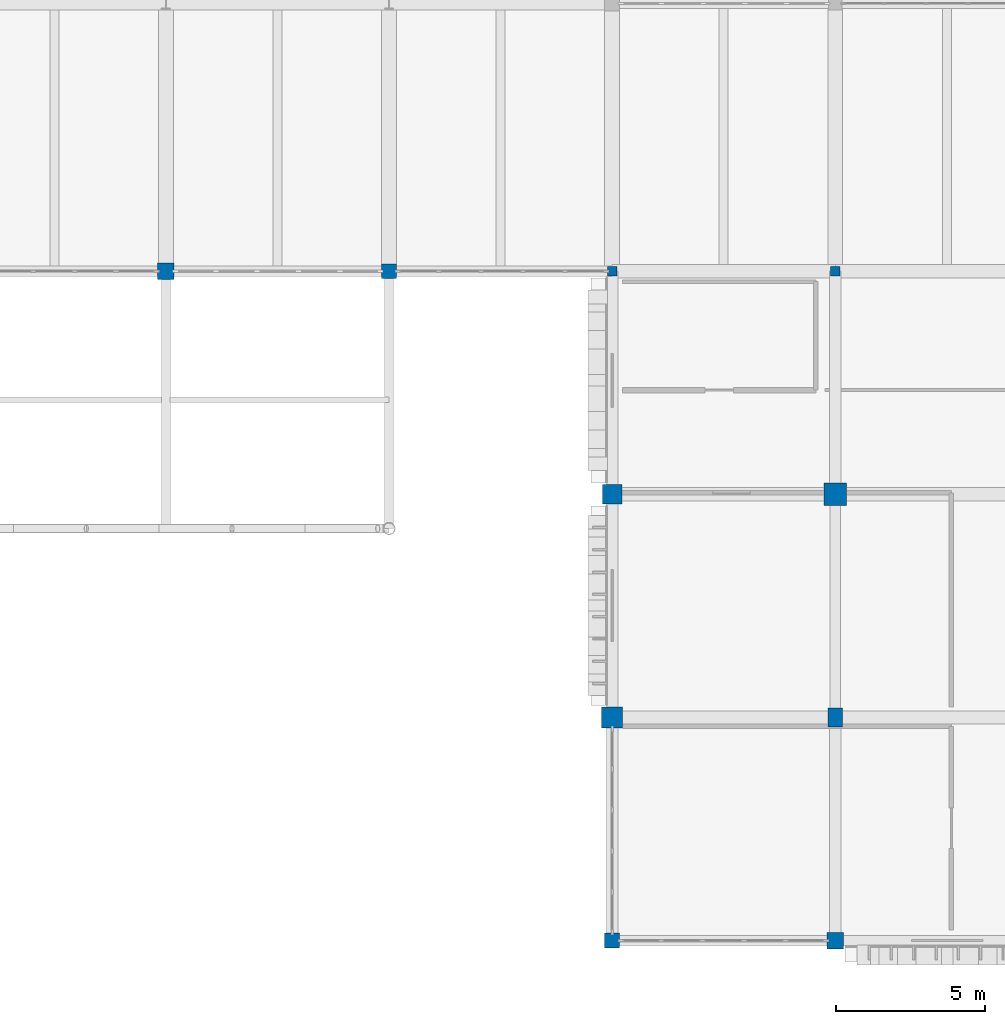
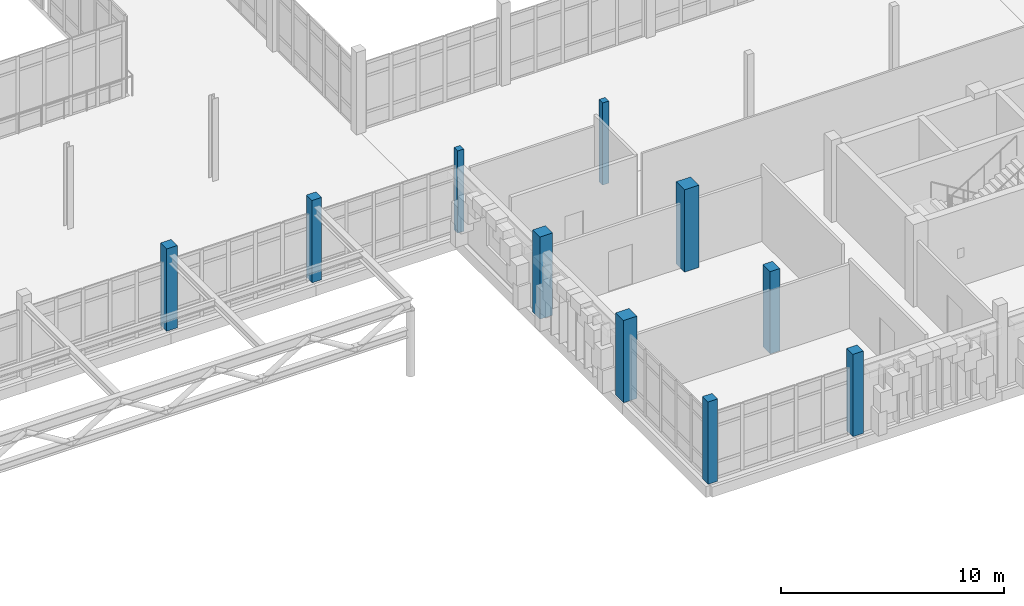
# One storey, part 6 of 128: 10 columns.
"""IFC4 building model written with IfcOpenShell, lengths in metres."""

from ifc_helpers import new_model, si_unit, direction, frame, origin, origin_2d, place, context, subcontext, project, spatial, rectangle, extrude, material, material_profile, profile_set, type_object, element, save


model = new_model("IFC4")

# Units and contexts
model_context = context("Model", 3, precision=1e-05, world=origin(), true_north=direction((0.0, 1.0)))
body_context = subcontext(model_context, "Body", "Model", "MODEL_VIEW")
ifc_project = project(units=[si_unit("LENGTHUNIT", "METRE"), si_unit("AREAUNIT", "SQUARE_METRE"), si_unit("VOLUMEUNIT", "CUBIC_METRE"), si_unit("PLANEANGLEUNIT", "RADIAN"), si_unit("MASSUNIT", "GRAM", prefix="KILO")], contexts=[model_context])

# Site, building, storey
site_placement = place(None, origin())
site = spatial("IfcSite", under=ifc_project, at=site_placement, CompositionType="ELEMENT")
building_placement = place(site_placement, origin())
building = spatial("IfcBuilding", under=site, at=building_placement, Name="Dalvernix Boulevard General Hospital", CompositionType="ELEMENT")
storey_placement = place(building_placement, frame((0.0, 0.0, 4.800048828125)))
storey = spatial("IfcBuildingStorey", under=building, at=storey_placement, Name="L01", CompositionType="ELEMENT", Elevation=4.800048828125)

# Columns
ifc_material_1 = material(Name="Concrete C40/50", Category="concrete")
ifc_material_profile_1 = material_profile(ifc_material_1, rectangle(XDim=0.75, YDim=0.75, at=origin_2d()), Name="RC 750x750")
ifc_profile_set_1 = profile_set([ifc_material_profile_1], Name="Concrete C40/50")
column_type_1 = type_object("IfcColumnType", Name="COL-C-04-I", PredefinedType="COLUMN", material=ifc_profile_set_1)
column_1_placement = place(storey_placement, frame((120.0, 15.0, 0.0), z_axis=(0.0, 0.0, 1.0), x_axis=(1.0, 0.0, 0.0)))
element("IfcColumn", 1, at=column_1_placement, inside=storey, type_object=column_type_1, Name="L01 column 17C", PredefinedType="COLUMN", context=body_context, shape_type="SweptSolid", body=[
    extrude(rectangle(XDim=0.75, YDim=0.75, at=origin_2d()), origin(), (0.0, 0.0, 1.0), 4.5),
])
ifc_material_profile_2 = material_profile(ifc_material_1, rectangle(XDim=0.699951171875, YDim=0.699951171875, at=origin_2d()), Name="RC 700x700")
ifc_profile_set_2 = profile_set([ifc_material_profile_2], Name="Concrete C40/50")
column_type_2 = type_object("IfcColumnType", Name="COL-C-05-E", PredefinedType="COLUMN", material=ifc_profile_set_2)
column_2_placement = place(storey_placement, frame((112.5, 7.5, 0.0), z_axis=(0.0, 0.0, 1.0), x_axis=(1.0, 0.0, 0.0)))
element("IfcColumn", 2, at=column_2_placement, inside=storey, type_object=column_type_2, Name="L01 column 16B", PredefinedType="COLUMN", context=body_context, shape_type="SweptSolid", body=[
    extrude(rectangle(XDim=0.699951171875, YDim=0.699951171875, at=origin_2d()), origin(), (0.0, 0.0, 1.0), 4.5),
])
ifc_material_profile_3 = material_profile(ifc_material_1, rectangle(XDim=0.64990234375, YDim=0.64990234375, at=origin_2d()), Name="RC 650x650")
ifc_profile_set_3 = profile_set([ifc_material_profile_3], Name="Concrete C40/50")
column_type_3 = type_object("IfcColumnType", Name="COL-C-06-E", PredefinedType="COLUMN", material=ifc_profile_set_3)
column_3_placement = place(storey_placement, frame((112.5, 15.0, 0.0), z_axis=(0.0, 0.0, 1.0), x_axis=(1.0, 0.0, 0.0)))
element("IfcColumn", 3, at=column_3_placement, inside=storey, type_object=column_type_3, Name="L01 column 16C", PredefinedType="COLUMN", context=body_context, shape_type="SweptSolid", body=[
    extrude(rectangle(XDim=0.64990234375, YDim=0.64990234375, at=origin_2d()), origin(), (0.0, 0.0, 1.0), 4.5),
])
ifc_material_profile_4 = material_profile(ifc_material_1, rectangle(XDim=0.550048828125, YDim=0.550048828125, at=origin_2d()), Name="RC 550x550")
ifc_profile_set_4 = profile_set([ifc_material_profile_4], Name="Concrete C40/50")
column_type_4 = type_object("IfcColumnType", Name="COL-C-08-E", PredefinedType="COLUMN", material=ifc_profile_set_4)
for number, where, z_axis, x_axis, name in (
    (4, (97.5, 22.5, 0.0), (0.0, 0.0, 1.0), (1.0, 0.0, 0.0), "L01 column 14D"),
    (5, (120.0, 0.0, 0.0), (0.0, 0.0, 1.0), (1.0, 0.0, 0.0), "L01 column 17A"),
):
    element("IfcColumn", number, at=place(storey_placement, frame(where, z_axis=z_axis, x_axis=x_axis)), inside=storey, type_object=column_type_4, Name=name, PredefinedType="COLUMN", context=body_context, shape_type="SweptSolid", body=[
        extrude(rectangle(XDim=0.550048828125, YDim=0.550048828125, at=origin_2d()), origin(), (0.0, 0.0, 1.0), 4.5),
    ])
ifc_material_profile_5 = material_profile(ifc_material_1, rectangle(XDim=0.5, YDim=0.5, at=origin_2d()), Name="RC 500x500")
ifc_profile_set_5 = profile_set([ifc_material_profile_5], Name="Concrete C40/50")
column_type_5 = type_object("IfcColumnType", Name="COL-C-09-E", PredefinedType="COLUMN", material=ifc_profile_set_5)
for number, where, z_axis, x_axis, name in (
    (6, (105.0, 22.5, 0.0), (0.0, 0.0, 1.0), (1.0, 0.0, 0.0), "L01 column 15D"),
    (7, (112.5, 0.0, 0.0), (0.0, 0.0, 1.0), (1.0, 0.0, 0.0), "L01 column 16A"),
):
    element("IfcColumn", number, at=place(storey_placement, frame(where, z_axis=z_axis, x_axis=x_axis)), inside=storey, type_object=column_type_5, Name=name, PredefinedType="COLUMN", context=body_context, shape_type="SweptSolid", body=[
        extrude(rectangle(XDim=0.5, YDim=0.5, at=origin_2d()), origin(), (0.0, 0.0, 1.0), 4.5),
    ])
ifc_material_profile_6 = material_profile(ifc_material_1, rectangle(XDim=0.5, YDim=0.64990234375, at=origin_2d()), Name="RC 500x650")
ifc_profile_set_6 = profile_set([ifc_material_profile_6], Name="Concrete C40/50")
column_type_6 = type_object("IfcColumnType", Name="COL-C-12-I", PredefinedType="COLUMN", material=ifc_profile_set_6)
column_4_placement = place(storey_placement, frame((120.0, 7.5, 0.0), z_axis=(0.0, 0.0, 1.0), x_axis=(1.0, 0.0, 0.0)))
element("IfcColumn", 8, at=column_4_placement, inside=storey, type_object=column_type_6, Name="L01 column 17B", PredefinedType="COLUMN", context=body_context, shape_type="SweptSolid", body=[
    extrude(rectangle(XDim=0.5, YDim=0.64990234375, at=origin_2d()), origin(), (0.0, 0.0, 1.0), 4.5),
])
ifc_material_2 = material(Name="Glulam GL28h", Category="wood")
ifc_material_profile_7 = material_profile(ifc_material_2, rectangle(XDim=0.320068359375, YDim=0.320068359375, at=origin_2d()), Name="GL28h 320x320")
ifc_profile_set_7 = profile_set([ifc_material_profile_7], Name="Glulam GL28h")
column_type_7 = type_object("IfcColumnType", Name="COL-C-20-E", PredefinedType="COLUMN", material=ifc_profile_set_7)
column_5_placement = place(storey_placement, frame((112.5, 22.5, 0.0), z_axis=(0.0, 0.0, 1.0), x_axis=(1.0, 0.0, 0.0)))
element("IfcColumn", 9, at=column_5_placement, inside=storey, type_object=column_type_7, Name="L01 column 16D", PredefinedType="COLUMN", context=body_context, shape_type="SweptSolid", body=[
    extrude(rectangle(XDim=0.320068359375, YDim=0.320068359375, at=origin_2d()), origin(), (0.0, 0.0, 1.0), 4.5),
])
ifc_material_profile_8 = material_profile(ifc_material_2, rectangle(XDim=0.320068359375, YDim=0.320068359375, at=origin_2d()), Name="GL28h 320x320")
ifc_profile_set_8 = profile_set([ifc_material_profile_8], Name="Glulam GL28h")
column_type_8 = type_object("IfcColumnType", Name="COL-C-20-I", PredefinedType="COLUMN", material=ifc_profile_set_8)
column_6_placement = place(storey_placement, frame((120.0, 22.5, 0.0), z_axis=(0.0, 0.0, 1.0), x_axis=(1.0, 0.0, 0.0)))
element("IfcColumn", 10, at=column_6_placement, inside=storey, type_object=column_type_8, Name="L01 column 17D", PredefinedType="COLUMN", context=body_context, shape_type="SweptSolid", body=[
    extrude(rectangle(XDim=0.320068359375, YDim=0.320068359375, at=origin_2d()), origin(), (0.0, 0.0, 1.0), 4.5),
])

save(model, "model.ifc")
